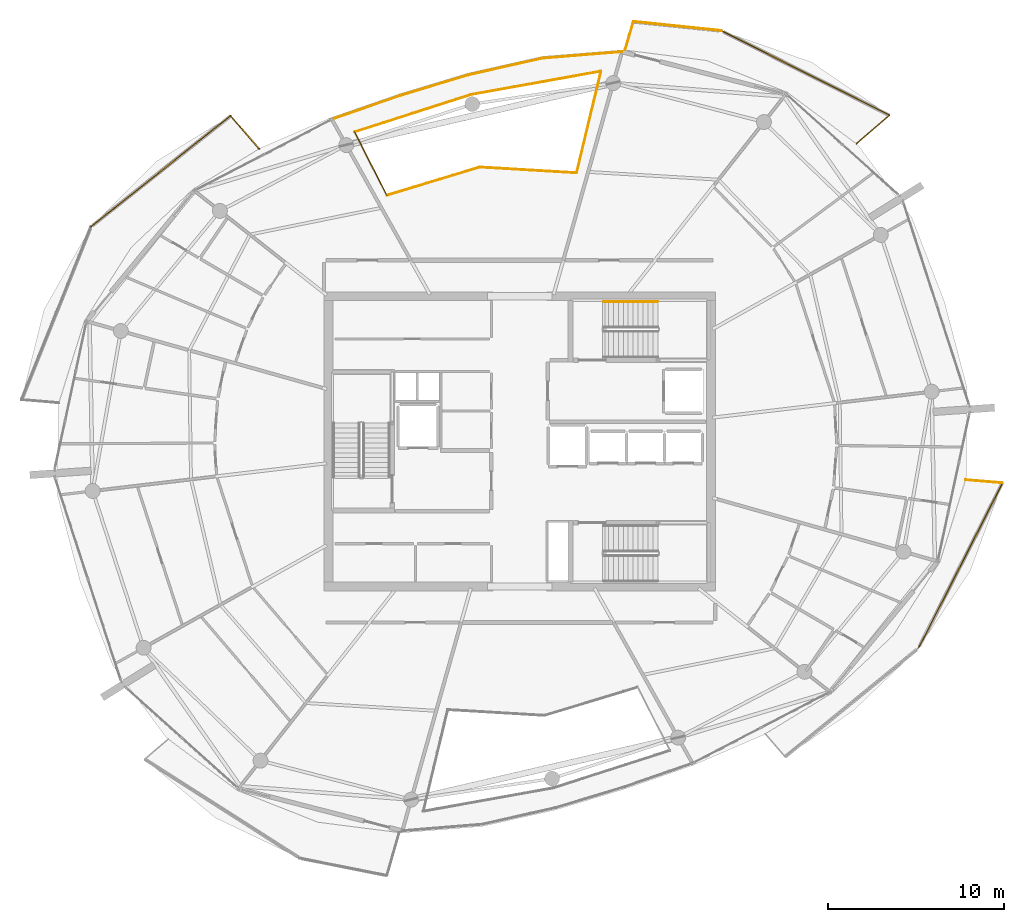
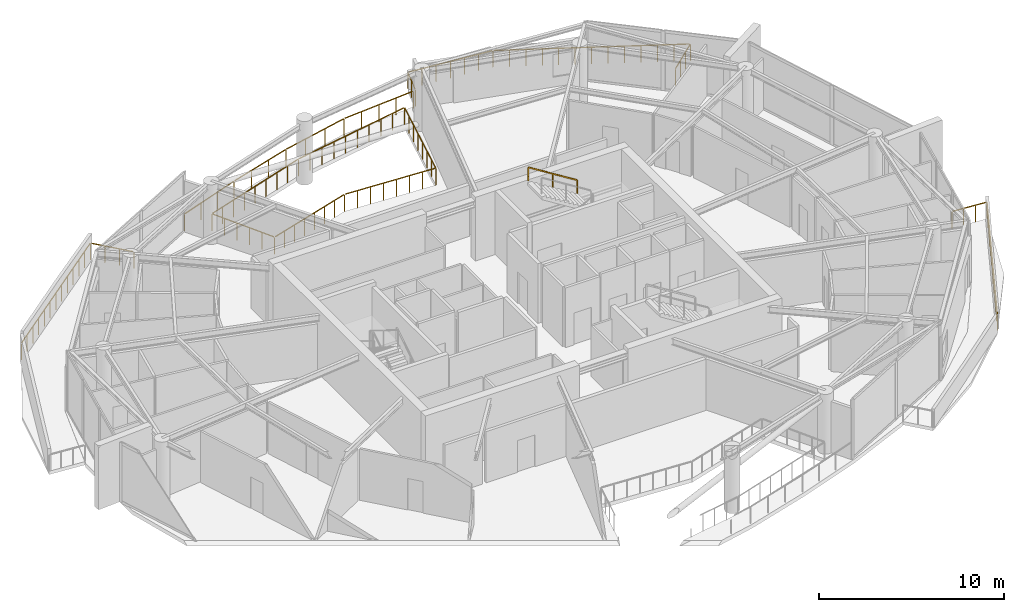
# One storey, part 22 of 22: 16 railings.
"""IFC4 building model written with IfcOpenShell, lengths in metres."""

from ifc_helpers import new_model, si_unit, direction, frame, origin, origin_2d, place, context, subcontext, project, spatial, rectangle, extrude, material, type_object, element, save


model = new_model("IFC4")

# Units and contexts
model_context = context("Model", 3, precision=1e-05, world=origin(), true_north=direction((0.0, 1.0)))
body_context = subcontext(model_context, "Body", "Model", "MODEL_VIEW")
ifc_project = project(units=[si_unit("LENGTHUNIT", "METRE"), si_unit("AREAUNIT", "SQUARE_METRE"), si_unit("VOLUMEUNIT", "CUBIC_METRE"), si_unit("PLANEANGLEUNIT", "RADIAN"), si_unit("MASSUNIT", "GRAM", prefix="KILO")], contexts=[model_context])

# Site, building, storey
site_placement = place(None, origin())
site = spatial("IfcSite", under=ifc_project, at=site_placement, CompositionType="ELEMENT")
building_placement = place(site_placement, origin())
building = spatial("IfcBuilding", under=site, at=building_placement, Name="Kazma Halo Residences", CompositionType="ELEMENT")
storey_placement = place(building_placement, frame((0.0, 0.0, 330.5)))
storey = spatial("IfcBuildingStorey", under=building, at=storey_placement, Name="L83", CompositionType="ELEMENT", Elevation=330.5)

# Railings
ifc_material_1 = material(Name="Aluminium AW-6063 T6 Brushed Cap Rail", Category="aluminium")
railing_type_1 = type_object("IfcRailingType", Name="RLG-BAL-CAP-1120", PredefinedType="BALUSTRADE", material=ifc_material_1)
railing_1_placement = place(storey_placement, frame((67.578369140625, 58.929443359375, 0.0)))
element("IfcRailing", 1, at=railing_1_placement, inside=storey, type_object=railing_type_1, Name="L83 NE wave balcony guard 1", PredefinedType="BALUSTRADE", context=body_context, shape_type="SweptSolid", body=[
    extrude(rectangle(XDim=0.050048828125, YDim=0.050048828125, at=origin_2d()), frame((0.0322265625, 0.02783203125, 1.09521484375), z_axis=(0.756384249682, 0.65412756159, 0.0), x_axis=(-0.65412756159, 0.756384249682, 0.0)), (0.0, 0.0, 1.0), 2.39306640625),
    extrude(rectangle(XDim=0.0400390625, YDim=0.0400390625, at=origin_2d()), origin(), (0.0, 0.0, 1.0), 1.05810546875),
    extrude(rectangle(XDim=0.0400390625, YDim=0.0400390625, at=origin_2d()), frame((0.624755859375, 0.540283203125, 0.0)), (0.0, 0.0, 1.0), 1.05810546875),
    extrude(rectangle(XDim=0.0400390625, YDim=0.0400390625, at=origin_2d()), frame((1.249755859375, 1.080810546875, 0.0)), (0.0, 0.0, 1.0), 1.05810546875),
    extrude(rectangle(XDim=0.0400390625, YDim=0.0400390625, at=origin_2d()), frame((1.87451171875, 1.62109375, 0.0)), (0.0, 0.0, 1.0), 1.05810546875),
])
railing_2_placement = place(storey_placement, frame((69.452880859375, 60.550537109375, 0.0)))
element("IfcRailing", 2, at=railing_2_placement, inside=storey, type_object=railing_type_1, Name="L83 NE wave balcony guard 2", PredefinedType="BALUSTRADE", context=body_context, shape_type="SweptSolid", body=[
    extrude(rectangle(XDim=0.050048828125, YDim=0.050048828125, at=origin_2d()), frame((-0.0380859375, 0.01904296875, 1.09521484375), z_axis=(-0.893296452598, 0.449467960788, 0.0), x_axis=(-0.449467960788, -0.893296452598, 0.0)), (0.0, 0.0, 1.0), 10.60791015625),
    extrude(rectangle(XDim=0.0400390625, YDim=0.0400390625, at=origin_2d()), origin(), (0.0, 0.0, 1.0), 1.05810546875),
    extrude(rectangle(XDim=0.0400390625, YDim=0.0400390625, at=origin_2d()), frame((-0.7958984375, 0.400390625, 0.0)), (0.0, 0.0, 1.0), 1.05810546875),
    extrude(rectangle(XDim=0.0400390625, YDim=0.0400390625, at=origin_2d()), frame((-1.592041015625, 0.801025390625, 0.0)), (0.0, 0.0, 1.0), 1.05810546875),
    extrude(rectangle(XDim=0.0400390625, YDim=0.0400390625, at=origin_2d()), frame((-2.387939453125, 1.20166015625, 0.0)), (0.0, 0.0, 1.0), 1.05810546875),
    extrude(rectangle(XDim=0.0400390625, YDim=0.0400390625, at=origin_2d()), frame((-3.18408203125, 1.60205078125, 0.0)), (0.0, 0.0, 1.0), 1.05810546875),
    extrude(rectangle(XDim=0.0400390625, YDim=0.0400390625, at=origin_2d()), frame((-3.97998046875, 2.00244140625, 0.0)), (0.0, 0.0, 1.0), 1.05810546875),
    extrude(rectangle(XDim=0.0400390625, YDim=0.0400390625, at=origin_2d()), frame((-4.77587890625, 2.403076171875, 0.0)), (0.0, 0.0, 1.0), 1.05810546875),
    extrude(rectangle(XDim=0.0400390625, YDim=0.0400390625, at=origin_2d()), frame((-5.572021484375, 2.8037109375, 0.0)), (0.0, 0.0, 1.0), 1.05810546875),
    extrude(rectangle(XDim=0.0400390625, YDim=0.0400390625, at=origin_2d()), frame((-6.367919921875, 3.2041015625, 0.0)), (0.0, 0.0, 1.0), 1.05810546875),
    extrude(rectangle(XDim=0.0400390625, YDim=0.0400390625, at=origin_2d()), frame((-7.1640625, 3.6044921875, 0.0)), (0.0, 0.0, 1.0), 1.05810546875),
    extrude(rectangle(XDim=0.0400390625, YDim=0.0400390625, at=origin_2d()), frame((-7.9599609375, 4.005126953125, 0.0)), (0.0, 0.0, 1.0), 1.05810546875),
    extrude(rectangle(XDim=0.0400390625, YDim=0.0400390625, at=origin_2d()), frame((-8.756103515625, 4.40576171875, 0.0)), (0.0, 0.0, 1.0), 1.05810546875),
    extrude(rectangle(XDim=0.0400390625, YDim=0.0400390625, at=origin_2d()), frame((-9.552001953125, 4.80615234375, 0.0)), (0.0, 0.0, 1.0), 1.05810546875),
])
railing_3_placement = place(storey_placement, frame((59.90087890625, 65.356689453125, 0.0)))
element("IfcRailing", 3, at=railing_3_placement, inside=storey, type_object=railing_type_1, Name="L83 NE wave balcony guard 3", PredefinedType="BALUSTRADE", context=body_context, shape_type="SweptSolid", body=[
    extrude(rectangle(XDim=0.050048828125, YDim=0.050048828125, at=origin_2d()), frame((-0.042236328125, 0.00439453125, 1.09521484375), z_axis=(-0.994705983973, 0.102761887141, 0.0), x_axis=(-0.102761887141, -0.994705983973, 0.0)), (0.0, 0.0, 1.0), 4.95166015625),
    extrude(rectangle(XDim=0.0400390625, YDim=0.0400390625, at=origin_2d()), origin(), (0.0, 0.0, 1.0), 1.05810546875),
    extrude(rectangle(XDim=0.0400390625, YDim=0.0400390625, at=origin_2d()), frame((-0.8349609375, 0.086181640625, 0.0)), (0.0, 0.0, 1.0), 1.05810546875),
    extrude(rectangle(XDim=0.0400390625, YDim=0.0400390625, at=origin_2d()), frame((-1.669921875, 0.172607421875, 0.0)), (0.0, 0.0, 1.0), 1.05810546875),
    extrude(rectangle(XDim=0.0400390625, YDim=0.0400390625, at=origin_2d()), frame((-2.5048828125, 0.2587890625, 0.0)), (0.0, 0.0, 1.0), 1.05810546875),
    extrude(rectangle(XDim=0.0400390625, YDim=0.0400390625, at=origin_2d()), frame((-3.340087890625, 0.344970703125, 0.0)), (0.0, 0.0, 1.0), 1.05810546875),
    extrude(rectangle(XDim=0.0400390625, YDim=0.0400390625, at=origin_2d()), frame((-4.175048828125, 0.431396484375, 0.0)), (0.0, 0.0, 1.0), 1.05810546875),
    extrude(rectangle(XDim=0.0400390625, YDim=0.0400390625, at=origin_2d()), frame((-5.010009765625, 0.517578125, 0.0)), (0.0, 0.0, 1.0), 1.05810546875),
])
railing_4_placement = place(storey_placement, frame((54.890869140625, 65.874267578125, 0.0)))
element("IfcRailing", 4, at=railing_4_placement, inside=storey, type_object=railing_type_1, Name="L83 NE wave balcony guard 4", PredefinedType="BALUSTRADE", context=body_context, shape_type="SweptSolid", body=[
    extrude(rectangle(XDim=0.050048828125, YDim=0.050048828125, at=origin_2d()), frame((-0.01171875, -0.040771484375, 1.09521484375), z_axis=(-0.277263467404, -0.960793926731, 0.0), x_axis=(0.960793926731, -0.277263467404, 0.0)), (0.0, 0.0, 1.0), 1.60107421875),
    extrude(rectangle(XDim=0.0400390625, YDim=0.0400390625, at=origin_2d()), origin(), (0.0, 0.0, 1.0), 1.05810546875),
    extrude(rectangle(XDim=0.0400390625, YDim=0.0400390625, at=origin_2d()), frame((-0.23388671875, -0.81005859375, 0.0)), (0.0, 0.0, 1.0), 1.05810546875),
    extrude(rectangle(XDim=0.0400390625, YDim=0.0400390625, at=origin_2d()), frame((-0.467529296875, -1.6201171875, 0.0)), (0.0, 0.0, 1.0), 1.05810546875),
])
railing_5_placement = place(storey_placement, frame((33.61181640625, 58.639404296875, 0.0)))
element("IfcRailing", 5, at=railing_5_placement, inside=storey, type_object=railing_type_1, Name="L83 NW wave balcony guard 1", PredefinedType="BALUSTRADE", context=body_context, shape_type="SweptSolid", body=[
    extrude(rectangle(XDim=0.050048828125, YDim=0.050048828125, at=origin_2d()), frame((-0.02783203125, 0.0322265625, 1.09521484375), z_axis=(-0.654065258793, 0.756438125189, 0.0), x_axis=(-0.756438125189, -0.654065258793, 0.0)), (0.0, 0.0, 1.0), 2.3974609375),
    extrude(rectangle(XDim=0.0400390625, YDim=0.0400390625, at=origin_2d()), origin(), (0.0, 0.0, 1.0), 1.05810546875),
    extrude(rectangle(XDim=0.0400390625, YDim=0.0400390625, at=origin_2d()), frame((-0.541259765625, 0.6259765625, 0.0)), (0.0, 0.0, 1.0), 1.05810546875),
    extrude(rectangle(XDim=0.0400390625, YDim=0.0400390625, at=origin_2d()), frame((-1.08251953125, 1.251953125, 0.0)), (0.0, 0.0, 1.0), 1.05810546875),
    extrude(rectangle(XDim=0.0400390625, YDim=0.0400390625, at=origin_2d()), frame((-1.623779296875, 1.8779296875, 0.0)), (0.0, 0.0, 1.0), 1.05810546875),
])
railing_6_placement = place(storey_placement, frame((31.988037109375, 60.517333984375, 0.0)))
element("IfcRailing", 6, at=railing_6_placement, inside=storey, type_object=railing_type_1, Name="L83 NW wave balcony guard 2", PredefinedType="BALUSTRADE", context=body_context, shape_type="SweptSolid", body=[
    extrude(rectangle(XDim=0.050048828125, YDim=0.050048828125, at=origin_2d()), frame((-0.033447265625, -0.0263671875, 1.09521484375), z_axis=(-0.783376099718, -0.621547975937, 0.0), x_axis=(0.621547975937, -0.783376099718, 0.0)), (0.0, 0.0, 1.0), 10.0634765625),
    extrude(rectangle(XDim=0.0400390625, YDim=0.0400390625, at=origin_2d()), origin(), (0.0, 0.0, 1.0), 1.05810546875),
    extrude(rectangle(XDim=0.0400390625, YDim=0.0400390625, at=origin_2d()), frame((-0.66259765625, -0.525634765625, 0.0)), (0.0, 0.0, 1.0), 1.05810546875),
    extrude(rectangle(XDim=0.0400390625, YDim=0.0400390625, at=origin_2d()), frame((-1.324951171875, -1.05126953125, 0.0)), (0.0, 0.0, 1.0), 1.05810546875),
    extrude(rectangle(XDim=0.0400390625, YDim=0.0400390625, at=origin_2d()), frame((-1.987548828125, -1.576904296875, 0.0)), (0.0, 0.0, 1.0), 1.05810546875),
    extrude(rectangle(XDim=0.0400390625, YDim=0.0400390625, at=origin_2d()), frame((-2.650146484375, -2.1025390625, 0.0)), (0.0, 0.0, 1.0), 1.05810546875),
    extrude(rectangle(XDim=0.0400390625, YDim=0.0400390625, at=origin_2d()), frame((-3.3125, -2.628173828125, 0.0)), (0.0, 0.0, 1.0), 1.05810546875),
    extrude(rectangle(XDim=0.0400390625, YDim=0.0400390625, at=origin_2d()), frame((-3.97509765625, -3.15380859375, 0.0)), (0.0, 0.0, 1.0), 1.05810546875),
    extrude(rectangle(XDim=0.0400390625, YDim=0.0400390625, at=origin_2d()), frame((-4.6376953125, -3.6796875, 0.0)), (0.0, 0.0, 1.0), 1.05810546875),
    extrude(rectangle(XDim=0.0400390625, YDim=0.0400390625, at=origin_2d()), frame((-5.300048828125, -4.205322265625, 0.0)), (0.0, 0.0, 1.0), 1.05810546875),
    extrude(rectangle(XDim=0.0400390625, YDim=0.0400390625, at=origin_2d()), frame((-5.962646484375, -4.73095703125, 0.0)), (0.0, 0.0, 1.0), 1.05810546875),
    extrude(rectangle(XDim=0.0400390625, YDim=0.0400390625, at=origin_2d()), frame((-6.625244140625, -5.256591796875, 0.0)), (0.0, 0.0, 1.0), 1.05810546875),
    extrude(rectangle(XDim=0.0400390625, YDim=0.0400390625, at=origin_2d()), frame((-7.28759765625, -5.7822265625, 0.0)), (0.0, 0.0, 1.0), 1.05810546875),
    extrude(rectangle(XDim=0.0400390625, YDim=0.0400390625, at=origin_2d()), frame((-7.9501953125, -6.307861328125, 0.0)), (0.0, 0.0, 1.0), 1.05810546875),
])
railing_7_placement = place(storey_placement, frame((71.106201171875, 30.226806640625, 0.0)))
element("IfcRailing", 7, at=railing_7_placement, inside=storey, type_object=railing_type_1, Name="L83 SE wave balcony guard 3", PredefinedType="BALUSTRADE", context=body_context, shape_type="SweptSolid", body=[
    extrude(rectangle(XDim=0.050048828125, YDim=0.050048828125, at=origin_2d()), frame((0.019287109375, 0.037841796875, 1.09521484375), z_axis=(0.453328923079, 0.891343305074, 0.0), x_axis=(-0.891343305074, 0.453328923079, 0.0)), (0.0, 0.0, 1.0), 10.46826171875),
    extrude(rectangle(XDim=0.0400390625, YDim=0.0400390625, at=origin_2d()), origin(), (0.0, 0.0, 1.0), 1.05810546875),
    extrude(rectangle(XDim=0.0400390625, YDim=0.0400390625, at=origin_2d()), frame((0.398681640625, 0.783935546875, 0.0)), (0.0, 0.0, 1.0), 1.05810546875),
    extrude(rectangle(XDim=0.0400390625, YDim=0.0400390625, at=origin_2d()), frame((0.79736328125, 1.56787109375, 0.0)), (0.0, 0.0, 1.0), 1.05810546875),
    extrude(rectangle(XDim=0.0400390625, YDim=0.0400390625, at=origin_2d()), frame((1.196044921875, 2.3515625, 0.0)), (0.0, 0.0, 1.0), 1.05810546875),
    extrude(rectangle(XDim=0.0400390625, YDim=0.0400390625, at=origin_2d()), frame((1.5947265625, 3.135498046875, 0.0)), (0.0, 0.0, 1.0), 1.05810546875),
    extrude(rectangle(XDim=0.0400390625, YDim=0.0400390625, at=origin_2d()), frame((1.993408203125, 3.91943359375, 0.0)), (0.0, 0.0, 1.0), 1.05810546875),
    extrude(rectangle(XDim=0.0400390625, YDim=0.0400390625, at=origin_2d()), frame((2.39208984375, 4.703369140625, 0.0)), (0.0, 0.0, 1.0), 1.05810546875),
    extrude(rectangle(XDim=0.0400390625, YDim=0.0400390625, at=origin_2d()), frame((2.790771484375, 5.4873046875, 0.0)), (0.0, 0.0, 1.0), 1.05810546875),
    extrude(rectangle(XDim=0.0400390625, YDim=0.0400390625, at=origin_2d()), frame((3.189453125, 6.271240234375, 0.0)), (0.0, 0.0, 1.0), 1.05810546875),
    extrude(rectangle(XDim=0.0400390625, YDim=0.0400390625, at=origin_2d()), frame((3.588134765625, 7.05517578125, 0.0)), (0.0, 0.0, 1.0), 1.05810546875),
    extrude(rectangle(XDim=0.0400390625, YDim=0.0400390625, at=origin_2d()), frame((3.98681640625, 7.8388671875, 0.0)), (0.0, 0.0, 1.0), 1.05810546875),
    extrude(rectangle(XDim=0.0400390625, YDim=0.0400390625, at=origin_2d()), frame((4.385498046875, 8.622802734375, 0.0)), (0.0, 0.0, 1.0), 1.05810546875),
    extrude(rectangle(XDim=0.0400390625, YDim=0.0400390625, at=origin_2d()), frame((4.7841796875, 9.40673828125, 0.0)), (0.0, 0.0, 1.0), 1.05810546875),
])
railing_8_placement = place(storey_placement, frame((75.890380859375, 39.633544921875, 0.0)))
element("IfcRailing", 8, at=railing_8_placement, inside=storey, type_object=railing_type_1, Name="L83 SE wave balcony guard 4", PredefinedType="BALUSTRADE", context=body_context, shape_type="SweptSolid", body=[
    extrude(rectangle(XDim=0.050048828125, YDim=0.050048828125, at=origin_2d()), frame((-0.04248046875, 0.003662109375, 1.09521484375), z_axis=(-0.996419214381, 0.084550276241, 0.0), x_axis=(-0.084550276241, -0.996419214381, 0.0)), (0.0, 0.0, 1.0), 2.022705078125),
    extrude(rectangle(XDim=0.0400390625, YDim=0.0400390625, at=origin_2d()), origin(), (0.0, 0.0, 1.0), 1.05810546875),
    extrude(rectangle(XDim=0.0400390625, YDim=0.0400390625, at=origin_2d()), frame((-0.7001953125, 0.059326171875, 0.0)), (0.0, 0.0, 1.0), 1.05810546875),
    extrude(rectangle(XDim=0.0400390625, YDim=0.0400390625, at=origin_2d()), frame((-1.400146484375, 0.118896484375, 0.0)), (0.0, 0.0, 1.0), 1.05810546875),
    extrude(rectangle(XDim=0.0400390625, YDim=0.0400390625, at=origin_2d()), frame((-2.100341796875, 0.17822265625, 0.0)), (0.0, 0.0, 1.0), 1.05810546875),
])
ifc_material_2 = material(Name="Brushed Stainless Steel and Laminated Glass", Category="steel")
railing_type_2 = type_object("IfcRailingType", Name="RLG-EXT-GUARD-1150", PredefinedType="GUARDRAIL", material=ifc_material_2)
railing_9_placement = place(storey_placement, frame((51.6650390625, 57.26611328125, 0.0)))
element("IfcRailing", 9, at=railing_9_placement, inside=storey, type_object=railing_type_2, Name="L83 upper wind-portal edge guard 1.1", PredefinedType="GUARDRAIL", context=body_context, shape_type="SweptSolid", body=[
    extrude(rectangle(XDim=0.050048828125, YDim=0.050048828125, at=origin_2d()), frame((-0.04248046875, 0.00244140625, 1.125), z_axis=(-0.998263068552, 0.058913886013, 0.0), x_axis=(-0.058913886013, -0.998263068552, 0.0)), (0.0, 0.0, 1.0), 5.434814453125),
    extrude(rectangle(XDim=0.0400390625, YDim=0.0400390625, at=origin_2d()), origin(), (0.0, 0.0, 1.0), 1.087890625),
    extrude(rectangle(XDim=0.0400390625, YDim=0.0400390625, at=origin_2d()), frame((-0.787109375, 0.04638671875, 0.0)), (0.0, 0.0, 1.0), 1.087890625),
    extrude(rectangle(XDim=0.0400390625, YDim=0.0400390625, at=origin_2d()), frame((-1.574462890625, 0.093017578125, 0.0)), (0.0, 0.0, 1.0), 1.087890625),
    extrude(rectangle(XDim=0.0400390625, YDim=0.0400390625, at=origin_2d()), frame((-2.361572265625, 0.139404296875, 0.0)), (0.0, 0.0, 1.0), 1.087890625),
    extrude(rectangle(XDim=0.0400390625, YDim=0.0400390625, at=origin_2d()), frame((-3.148681640625, 0.185791015625, 0.0)), (0.0, 0.0, 1.0), 1.087890625),
    extrude(rectangle(XDim=0.0400390625, YDim=0.0400390625, at=origin_2d()), frame((-3.935791015625, 0.232177734375, 0.0)), (0.0, 0.0, 1.0), 1.087890625),
    extrude(rectangle(XDim=0.0400390625, YDim=0.0400390625, at=origin_2d()), frame((-4.72314453125, 0.27880859375, 0.0)), (0.0, 0.0, 1.0), 1.087890625),
    extrude(rectangle(XDim=0.0400390625, YDim=0.0400390625, at=origin_2d()), frame((-5.51025390625, 0.3251953125, 0.0)), (0.0, 0.0, 1.0), 1.087890625),
])
railing_10_placement = place(storey_placement, frame((46.15478515625, 57.59130859375, 0.0)))
element("IfcRailing", 10, at=railing_10_placement, inside=storey, type_object=railing_type_2, Name="L83 upper wind-portal edge guard 1.2", PredefinedType="GUARDRAIL", context=body_context, shape_type="SweptSolid", body=[
    extrude(rectangle(XDim=0.050048828125, YDim=0.050048828125, at=origin_2d()), frame((-0.040771484375, -0.012451171875, 1.125), z_axis=(-0.956934342561, -0.290304433358, 0.0), x_axis=(0.290304433358, -0.956934342561, 0.0)), (0.0, 0.0, 1.0), 5.43505859375),
    extrude(rectangle(XDim=0.0400390625, YDim=0.0400390625, at=origin_2d()), origin(), (0.0, 0.0, 1.0), 1.087890625),
    extrude(rectangle(XDim=0.0400390625, YDim=0.0400390625, at=origin_2d()), frame((-0.754638671875, -0.22900390625, 0.0)), (0.0, 0.0, 1.0), 1.087890625),
    extrude(rectangle(XDim=0.0400390625, YDim=0.0400390625, at=origin_2d()), frame((-1.50927734375, -0.457763671875, 0.0)), (0.0, 0.0, 1.0), 1.087890625),
    extrude(rectangle(XDim=0.0400390625, YDim=0.0400390625, at=origin_2d()), frame((-2.263916015625, -0.686767578125, 0.0)), (0.0, 0.0, 1.0), 1.087890625),
    extrude(rectangle(XDim=0.0400390625, YDim=0.0400390625, at=origin_2d()), frame((-3.0185546875, -0.915771484375, 0.0)), (0.0, 0.0, 1.0), 1.087890625),
    extrude(rectangle(XDim=0.0400390625, YDim=0.0400390625, at=origin_2d()), frame((-3.773193359375, -1.144775390625, 0.0)), (0.0, 0.0, 1.0), 1.087890625),
    extrude(rectangle(XDim=0.0400390625, YDim=0.0400390625, at=origin_2d()), frame((-4.52783203125, -1.37353515625, 0.0)), (0.0, 0.0, 1.0), 1.087890625),
    extrude(rectangle(XDim=0.0400390625, YDim=0.0400390625, at=origin_2d()), frame((-5.282470703125, -1.6025390625, 0.0)), (0.0, 0.0, 1.0), 1.087890625),
])
railing_11_placement = place(storey_placement, frame((40.872314453125, 55.98876953125, 0.0)))
element("IfcRailing", 11, at=railing_11_placement, inside=storey, type_object=railing_type_2, Name="L83 upper wind-portal edge guard 1.3", PredefinedType="GUARDRAIL", context=body_context, shape_type="SweptSolid", body=[
    extrude(rectangle(XDim=0.050048828125, YDim=0.050048828125, at=origin_2d()), frame((-0.019287109375, 0.037841796875, 1.125), z_axis=(-0.453986372723, 0.891008626996, 0.0), x_axis=(-0.891008626996, -0.453986372723, 0.0)), (0.0, 0.0, 1.0), 3.958984375),
    extrude(rectangle(XDim=0.0400390625, YDim=0.0400390625, at=origin_2d()), origin(), (0.0, 0.0, 1.0), 1.087890625),
    extrude(rectangle(XDim=0.0400390625, YDim=0.0400390625, at=origin_2d()), frame((-0.3671875, 0.720703125, 0.0)), (0.0, 0.0, 1.0), 1.087890625),
    extrude(rectangle(XDim=0.0400390625, YDim=0.0400390625, at=origin_2d()), frame((-0.734375, 1.44140625, 0.0)), (0.0, 0.0, 1.0), 1.087890625),
    extrude(rectangle(XDim=0.0400390625, YDim=0.0400390625, at=origin_2d()), frame((-1.1015625, 2.161865234375, 0.0)), (0.0, 0.0, 1.0), 1.087890625),
    extrude(rectangle(XDim=0.0400390625, YDim=0.0400390625, at=origin_2d()), frame((-1.46875, 2.882568359375, 0.0)), (0.0, 0.0, 1.0), 1.087890625),
    extrude(rectangle(XDim=0.0400390625, YDim=0.0400390625, at=origin_2d()), frame((-1.8359375, 3.603271484375, 0.0)), (0.0, 0.0, 1.0), 1.087890625),
])
railing_12_placement = place(storey_placement, frame((39.036376953125, 59.592041015625, 0.0)))
element("IfcRailing", 12, at=railing_12_placement, inside=storey, type_object=railing_type_2, Name="L83 upper wind-portal edge guard 1.4", PredefinedType="GUARDRAIL", context=body_context, shape_type="SweptSolid", body=[
    extrude(rectangle(XDim=0.050048828125, YDim=0.050048828125, at=origin_2d()), frame((0.04052734375, 0.012939453125, 1.125), z_axis=(0.952165276882, 0.305583516407, 0.0), x_axis=(-0.305583516407, 0.952165276882, 0.0)), (0.0, 0.0, 1.0), 6.877685546875),
    extrude(rectangle(XDim=0.0400390625, YDim=0.0400390625, at=origin_2d()), origin(), (0.0, 0.0, 1.0), 1.087890625),
    extrude(rectangle(XDim=0.0400390625, YDim=0.0400390625, at=origin_2d()), frame((0.82861328125, 0.265869140625, 0.0)), (0.0, 0.0, 1.0), 1.087890625),
    extrude(rectangle(XDim=0.0400390625, YDim=0.0400390625, at=origin_2d()), frame((1.657470703125, 0.531982421875, 0.0)), (0.0, 0.0, 1.0), 1.087890625),
    extrude(rectangle(XDim=0.0400390625, YDim=0.0400390625, at=origin_2d()), frame((2.486083984375, 0.7978515625, 0.0)), (0.0, 0.0, 1.0), 1.087890625),
    extrude(rectangle(XDim=0.0400390625, YDim=0.0400390625, at=origin_2d()), frame((3.31494140625, 1.06396484375, 0.0)), (0.0, 0.0, 1.0), 1.087890625),
    extrude(rectangle(XDim=0.0400390625, YDim=0.0400390625, at=origin_2d()), frame((4.1435546875, 1.329833984375, 0.0)), (0.0, 0.0, 1.0), 1.087890625),
    extrude(rectangle(XDim=0.0400390625, YDim=0.0400390625, at=origin_2d()), frame((4.97216796875, 1.595703125, 0.0)), (0.0, 0.0, 1.0), 1.087890625),
    extrude(rectangle(XDim=0.0400390625, YDim=0.0400390625, at=origin_2d()), frame((5.801025390625, 1.86181640625, 0.0)), (0.0, 0.0, 1.0), 1.087890625),
    extrude(rectangle(XDim=0.0400390625, YDim=0.0400390625, at=origin_2d()), frame((6.629638671875, 2.127685546875, 0.0)), (0.0, 0.0, 1.0), 1.087890625),
])
railing_13_placement = place(storey_placement, frame((45.666015625, 61.7197265625, 0.0)))
element("IfcRailing", 13, at=railing_13_placement, inside=storey, type_object=railing_type_2, Name="L83 upper wind-portal edge guard 1.5", PredefinedType="GUARDRAIL", context=body_context, shape_type="SweptSolid", body=[
    extrude(rectangle(XDim=0.050048828125, YDim=0.050048828125, at=origin_2d()), frame((0.0419921875, 0.007568359375, 1.125), z_axis=(0.984235798799, 0.176861223455, 0.0), x_axis=(-0.176861223455, 0.984235798799, 0.0)), (0.0, 0.0, 1.0), 7.420166015625),
    extrude(rectangle(XDim=0.0400390625, YDim=0.0400390625, at=origin_2d()), origin(), (0.0, 0.0, 1.0), 1.087890625),
    extrude(rectangle(XDim=0.0400390625, YDim=0.0400390625, at=origin_2d()), frame((0.82080078125, 0.1474609375, 0.0)), (0.0, 0.0, 1.0), 1.087890625),
    extrude(rectangle(XDim=0.0400390625, YDim=0.0400390625, at=origin_2d()), frame((1.6416015625, 0.294921875, 0.0)), (0.0, 0.0, 1.0), 1.087890625),
    extrude(rectangle(XDim=0.0400390625, YDim=0.0400390625, at=origin_2d()), frame((2.46240234375, 0.4423828125, 0.0)), (0.0, 0.0, 1.0), 1.087890625),
    extrude(rectangle(XDim=0.0400390625, YDim=0.0400390625, at=origin_2d()), frame((3.283203125, 0.58984375, 0.0)), (0.0, 0.0, 1.0), 1.087890625),
    extrude(rectangle(XDim=0.0400390625, YDim=0.0400390625, at=origin_2d()), frame((4.103759765625, 0.737548828125, 0.0)), (0.0, 0.0, 1.0), 1.087890625),
    extrude(rectangle(XDim=0.0400390625, YDim=0.0400390625, at=origin_2d()), frame((4.924560546875, 0.885009765625, 0.0)), (0.0, 0.0, 1.0), 1.087890625),
    extrude(rectangle(XDim=0.0400390625, YDim=0.0400390625, at=origin_2d()), frame((5.745361328125, 1.032470703125, 0.0)), (0.0, 0.0, 1.0), 1.087890625),
    extrude(rectangle(XDim=0.0400390625, YDim=0.0400390625, at=origin_2d()), frame((6.566162109375, 1.179931640625, 0.0)), (0.0, 0.0, 1.0), 1.087890625),
    extrude(rectangle(XDim=0.0400390625, YDim=0.0400390625, at=origin_2d()), frame((7.386962890625, 1.327392578125, 0.0)), (0.0, 0.0, 1.0), 1.087890625),
])
railing_14_placement = place(storey_placement, frame((53.052978515625, 63.047119140625, 0.0)))
element("IfcRailing", 14, at=railing_14_placement, inside=storey, type_object=railing_type_2, Name="L83 upper wind-portal edge guard 1.6", PredefinedType="GUARDRAIL", context=body_context, shape_type="SweptSolid", body=[
    extrude(rectangle(XDim=0.050048828125, YDim=0.050048828125, at=origin_2d()), frame((-0.010009765625, -0.041259765625, 1.125), z_axis=(-0.233452160997, -0.972368288523, 0.0), x_axis=(0.972368288523, -0.233452160997, 0.0)), (0.0, 0.0, 1.0), 5.860107421875),
    extrude(rectangle(XDim=0.0400390625, YDim=0.0400390625, at=origin_2d()), origin(), (0.0, 0.0, 1.0), 1.087890625),
    extrude(rectangle(XDim=0.0400390625, YDim=0.0400390625, at=origin_2d()), frame((-0.1982421875, -0.825927734375, 0.0)), (0.0, 0.0, 1.0), 1.087890625),
    extrude(rectangle(XDim=0.0400390625, YDim=0.0400390625, at=origin_2d()), frame((-0.396484375, -1.651611328125, 0.0)), (0.0, 0.0, 1.0), 1.087890625),
    extrude(rectangle(XDim=0.0400390625, YDim=0.0400390625, at=origin_2d()), frame((-0.5947265625, -2.4775390625, 0.0)), (0.0, 0.0, 1.0), 1.087890625),
    extrude(rectangle(XDim=0.0400390625, YDim=0.0400390625, at=origin_2d()), frame((-0.793212890625, -3.303466796875, 0.0)), (0.0, 0.0, 1.0), 1.087890625),
    extrude(rectangle(XDim=0.0400390625, YDim=0.0400390625, at=origin_2d()), frame((-0.991455078125, -4.12939453125, 0.0)), (0.0, 0.0, 1.0), 1.087890625),
    extrude(rectangle(XDim=0.0400390625, YDim=0.0400390625, at=origin_2d()), frame((-1.189697265625, -4.955078125, 0.0)), (0.0, 0.0, 1.0), 1.087890625),
    extrude(rectangle(XDim=0.0400390625, YDim=0.0400390625, at=origin_2d()), frame((-1.387939453125, -5.781005859375, 0.0)), (0.0, 0.0, 1.0), 1.087890625),
])
railing_15_placement = place(storey_placement, frame((54.248046875, 64.15380859375, 0.0)))
element("IfcRailing", 15, at=railing_15_placement, inside=storey, type_object=railing_type_2, Name="L83 upper wind-portal outer rim guard 1", PredefinedType="GUARDRAIL", context=body_context, shape_type="SweptSolid", body=[
    extrude(rectangle(XDim=0.050048828125, YDim=0.050048828125, at=origin_2d()), frame((-0.04248046875, -0.00341796875, 1.125), z_axis=(-0.996709972845, -0.081050786741, 0.0), x_axis=(0.081050786741, -0.996709972845, 0.0)), (0.0, 0.0, 1.0), 4.46337890625),
    extrude(rectangle(XDim=0.050048828125, YDim=0.050048828125, at=origin_2d()), frame((-4.574951171875, -0.3779296875, 1.125), z_axis=(-0.975482432849, -0.220077311878, 0.0), x_axis=(0.220077311878, -0.975482432849, 0.0)), (0.0, 0.0, 1.0), 4.201416015625),
    extrude(rectangle(XDim=0.050048828125, YDim=0.050048828125, at=origin_2d()), frame((-8.755615234375, -1.32421875, 1.125), z_axis=(-0.957126127976, -0.289671495225, 0.0), x_axis=(0.289671495225, -0.957126127976, 0.0)), (0.0, 0.0, 1.0), 4.01025390625),
    extrude(rectangle(XDim=0.050048828125, YDim=0.050048828125, at=origin_2d()), frame((-12.6748046875, -2.51220703125, 1.125), z_axis=(-0.944594872531, -0.328238521184, 0.0), x_axis=(0.328238521184, -0.944594872531, 0.0)), (0.0, 0.0, 1.0), 4.01025390625),
    extrude(rectangle(XDim=0.0400390625, YDim=0.0400390625, at=origin_2d()), origin(), (0.0, 0.0, 1.0), 1.087890625),
    extrude(rectangle(XDim=0.0400390625, YDim=0.0400390625, at=origin_2d()), frame((-1.13330078125, -0.09228515625, 0.0)), (0.0, 0.0, 1.0), 1.087890625),
    extrude(rectangle(XDim=0.0400390625, YDim=0.0400390625, at=origin_2d()), frame((-2.2666015625, -0.184326171875, 0.0)), (0.0, 0.0, 1.0), 1.087890625),
    extrude(rectangle(XDim=0.0400390625, YDim=0.0400390625, at=origin_2d()), frame((-3.400146484375, -0.2763671875, 0.0)), (0.0, 0.0, 1.0), 1.087890625),
    extrude(rectangle(XDim=0.0400390625, YDim=0.0400390625, at=origin_2d()), frame((-4.533447265625, -0.36865234375, 0.0)), (0.0, 0.0, 1.0), 1.087890625),
    extrude(rectangle(XDim=0.0400390625, YDim=0.0400390625, at=origin_2d()), frame((-5.92724609375, -0.68310546875, 0.0)), (0.0, 0.0, 1.0), 1.087890625),
    extrude(rectangle(XDim=0.0400390625, YDim=0.0400390625, at=origin_2d()), frame((-7.321044921875, -0.99755859375, 0.0)), (0.0, 0.0, 1.0), 1.087890625),
    extrude(rectangle(XDim=0.0400390625, YDim=0.0400390625, at=origin_2d()), frame((-8.71484375, -1.31201171875, 0.0)), (0.0, 0.0, 1.0), 1.087890625),
    extrude(rectangle(XDim=0.0400390625, YDim=0.0400390625, at=origin_2d()), frame((-10.021484375, -1.70751953125, 0.0)), (0.0, 0.0, 1.0), 1.087890625),
    extrude(rectangle(XDim=0.0400390625, YDim=0.0400390625, at=origin_2d()), frame((-11.327880859375, -2.102783203125, 0.0)), (0.0, 0.0, 1.0), 1.087890625),
    extrude(rectangle(XDim=0.0400390625, YDim=0.0400390625, at=origin_2d()), frame((-12.634521484375, -2.498291015625, 0.0)), (0.0, 0.0, 1.0), 1.087890625),
    extrude(rectangle(XDim=0.0400390625, YDim=0.0400390625, at=origin_2d()), frame((-13.924072265625, -2.9462890625, 0.0)), (0.0, 0.0, 1.0), 1.087890625),
    extrude(rectangle(XDim=0.0400390625, YDim=0.0400390625, at=origin_2d()), frame((-15.21337890625, -3.39453125, 0.0)), (0.0, 0.0, 1.0), 1.087890625),
    extrude(rectangle(XDim=0.0400390625, YDim=0.0400390625, at=origin_2d()), frame((-16.5029296875, -3.842529296875, 0.0)), (0.0, 0.0, 1.0), 1.087890625),
])
ifc_material_3 = material(Name="Brushed Stainless Steel", Category="steel")
railing_type_3 = type_object("IfcRailingType", Name="RLG-STAIR-HND-900", PredefinedType="HANDRAIL", material=ifc_material_3)
railing_16_placement = place(storey_placement, frame((56.280029296875, 49.949951171875, 2.27490234375)))
element("IfcRailing", 16, at=railing_16_placement, inside=storey, type_object=railing_type_3, Name="L83 ST-02 stair handrail 2", PredefinedType="HANDRAIL", context=body_context, shape_type="SweptSolid", body=[
    extrude(rectangle(XDim=0.050048828125, YDim=0.050048828125, at=origin_2d()), frame((-0.0361328125, 0.0, 0.8974609375), z_axis=(-0.847998304005, 0.0, 0.529998940003), x_axis=(0.0, -1.0, 0.0)), (0.0, 0.0, 1.0), 3.547119140625),
    extrude(rectangle(XDim=0.0400390625, YDim=0.0400390625, at=origin_2d()), origin(), (0.0, 0.0, 1.0), 0.837890625),
    extrude(rectangle(XDim=0.0400390625, YDim=0.0400390625, at=origin_2d()), frame((-1.5400390625, 0.0, 0.96240234375)), (0.0, 0.0, 1.0), 0.837890625),
    extrude(rectangle(XDim=0.0400390625, YDim=0.0400390625, at=origin_2d()), frame((-3.080078125, 0.0, 1.925048828125)), (0.0, 0.0, 1.0), 0.837890625),
])

save(model, "model.ifc")
